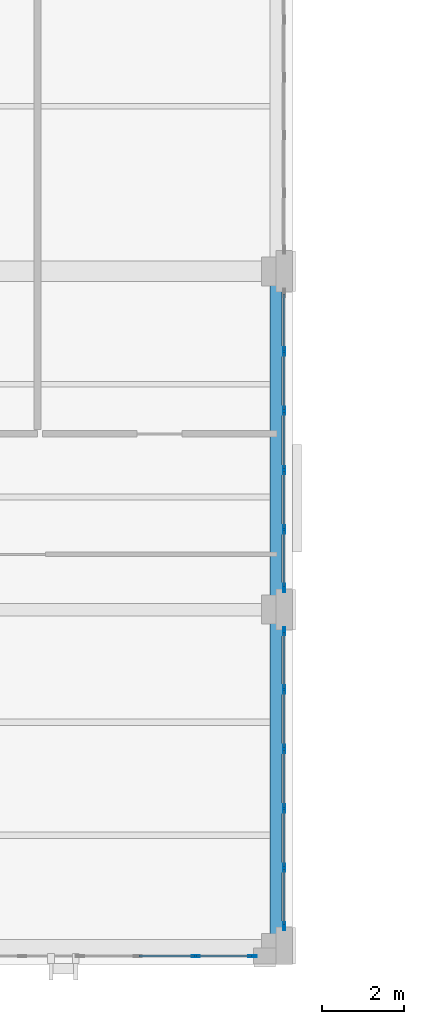
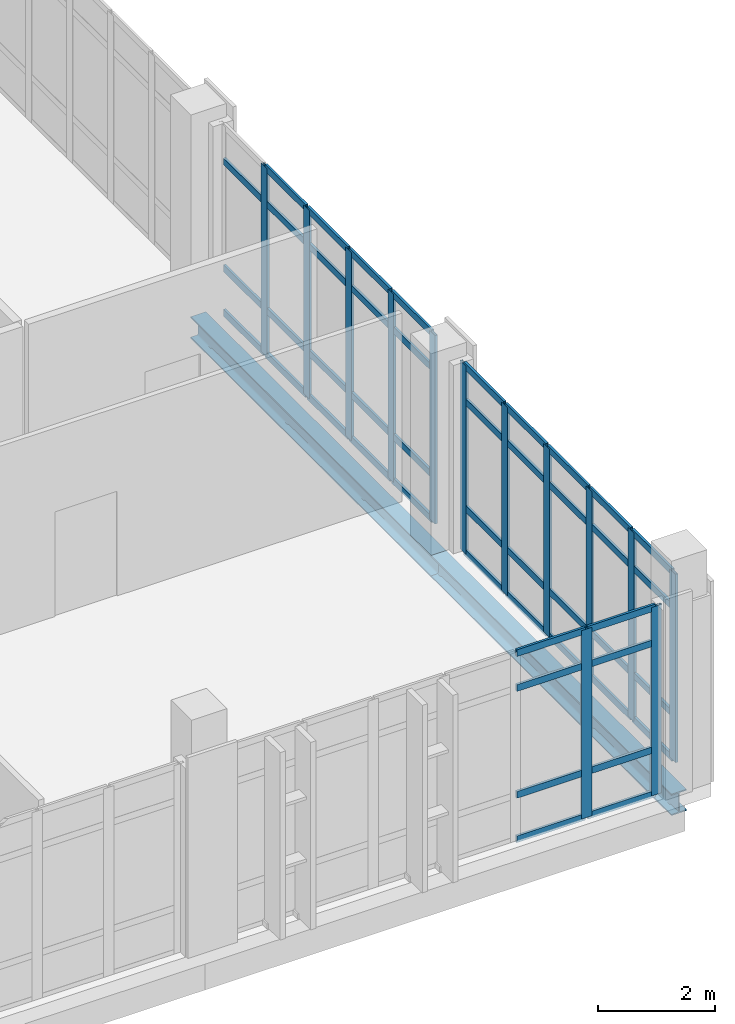
# One storey, part 52 of 158: 60 members, 2 beams, 3 elements without a shape of their own.
"""IFC4 building model written with IfcOpenShell, lengths in metres."""

from ifc_helpers import new_model, si_unit, direction, frame, origin, origin_2d, place, context, subcontext, project, spatial, hollow_rectangle, i_section, extrude, material, layer, layer_set, material_profile, profile_set, type_object, element, aggregate, save


model = new_model("IFC4")

# Units and contexts
model_context = context("Model", 3, precision=1e-05, world=origin(), true_north=direction((0.0, 1.0)))
body_context = subcontext(model_context, "Body", "Model", "MODEL_VIEW")
ifc_project = project(units=[si_unit("LENGTHUNIT", "METRE"), si_unit("AREAUNIT", "SQUARE_METRE"), si_unit("VOLUMEUNIT", "CUBIC_METRE"), si_unit("PLANEANGLEUNIT", "RADIAN"), si_unit("MASSUNIT", "GRAM", prefix="KILO")], contexts=[model_context])

# Site, building, storey
site_placement = place(None, origin())
site = spatial("IfcSite", under=ifc_project, at=site_placement, CompositionType="ELEMENT")
building_placement = place(site_placement, origin())
building = spatial("IfcBuilding", under=site, at=building_placement, Name="Qalavern Law Courts", CompositionType="ELEMENT")
storey_placement = place(building_placement, frame((0.0, 0.0, 18.60009765625)))
storey = spatial("IfcBuildingStorey", under=building, at=storey_placement, Name="L04", CompositionType="ELEMENT", Elevation=18.60009765625)

# Curtain wall, members
ifc_material_1 = material(Name="Anodised aluminium and insulated glazing", Category="aluminium")
ifc_layer = layer(ifc_material_1, 0.18505859375)
ifc_layer_set = layer_set([ifc_layer], Name="Anodised aluminium and insulated glazing")
curtain_wall_type = type_object("IfcCurtainWallType", Name="ENV-CW-HALL", PredefinedType="USERDEFINED", material=ifc_layer_set)
curtain_wall_1_placement = place(storey_placement, origin())
curtain_wall_1 = element("IfcCurtainWall", 1, at=curtain_wall_1_placement, inside=storey, type_object=curtain_wall_type, Name="V2 unitised curtain wall L04 south 6", ObjectType="UNITISED CURTAIN WALL", PredefinedType="USERDEFINED")
ifc_material_2 = material(Name="Anodised aluminium", Category="aluminium")
ifc_material_profile_1 = material_profile(ifc_material_2, hollow_rectangle(XDim=0.048095703125, YDim=0.199951171875, WallThickness=0.00439453125, at=origin_2d()), Name="ALU MULLION 48x200")
ifc_profile_set_1 = profile_set([ifc_material_profile_1], Name="Anodised aluminium")
member_type_1 = type_object("IfcMemberType", Name="ENV-CWM-48x200", PredefinedType="MULLION", material=ifc_profile_set_1)
member_1_placement = place(storey_placement, frame((98.853515625, 5.39990234375, 0.0), z_axis=(0.0, 0.0, 1.0), x_axis=(0.0, 1.0, 0.0)))
member_1 = element("IfcMember", 2, at=member_1_placement, type_object=member_type_1, Name="CW-02 mullion 6", PredefinedType="MULLION", context=body_context, shape_type="SweptSolid", body=[
    extrude(hollow_rectangle(XDim=0.048095703125, YDim=0.199951171875, WallThickness=0.00439453125, at=origin_2d()), origin(), (0.0, 0.0, 1.0), 3.9248046875),
])
member_2_placement = place(storey_placement, frame((100.23095703125, 5.39990234375, 0.0), z_axis=(0.0, 0.0, 1.0), x_axis=(0.0, 1.0, 0.0)))
member_2 = element("IfcMember", 3, at=member_2_placement, type_object=member_type_1, Name="CW-02 mullion 7", PredefinedType="MULLION", context=body_context, shape_type="SweptSolid", body=[
    extrude(hollow_rectangle(XDim=0.048095703125, YDim=0.199951171875, WallThickness=0.00439453125, at=origin_2d()), origin(), (0.0, 0.0, 1.0), 3.9248046875),
])

curtain_wall_2_placement = place(storey_placement, origin())
curtain_wall_2 = element("IfcCurtainWall", 4, at=curtain_wall_2_placement, inside=storey, type_object=curtain_wall_type, Name="V2 unitised curtain wall L04 east 1", ObjectType="UNITISED CURTAIN WALL", PredefinedType="USERDEFINED")
member_3_placement = place(storey_placement, frame((101.0, 6.1240234375, 0.0), z_axis=(0.0, 0.0, 1.0), x_axis=(-1.0, 0.0, 0.0)))
member_3 = element("IfcMember", 5, at=member_3_placement, type_object=member_type_1, Name="CW-02 mullion 1", PredefinedType="MULLION", context=body_context, shape_type="SweptSolid", body=[
    extrude(hollow_rectangle(XDim=0.048095703125, YDim=0.199951171875, WallThickness=0.00439453125, at=origin_2d()), origin(), (0.0, 0.0, 1.0), 3.9248046875),
])
member_4_placement = place(storey_placement, frame((101.0, 7.5400390625, 0.0), z_axis=(0.0, 0.0, 1.0), x_axis=(-1.0, 0.0, 0.0)))
member_4 = element("IfcMember", 6, at=member_4_placement, type_object=member_type_1, Name="CW-02 mullion 2", PredefinedType="MULLION", context=body_context, shape_type="SweptSolid", body=[
    extrude(hollow_rectangle(XDim=0.048095703125, YDim=0.199951171875, WallThickness=0.00439453125, at=origin_2d()), origin(), (0.0, 0.0, 1.0), 3.9248046875),
])
member_5_placement = place(storey_placement, frame((101.0, 8.97998046875, 0.0), z_axis=(0.0, 0.0, 1.0), x_axis=(-1.0, 0.0, 0.0)))
member_5 = element("IfcMember", 7, at=member_5_placement, type_object=member_type_1, Name="CW-02 mullion 3", PredefinedType="MULLION", context=body_context, shape_type="SweptSolid", body=[
    extrude(hollow_rectangle(XDim=0.048095703125, YDim=0.199951171875, WallThickness=0.00439453125, at=origin_2d()), origin(), (0.0, 0.0, 1.0), 3.9248046875),
])
member_6_placement = place(storey_placement, frame((101.0, 10.419921875, 0.0), z_axis=(0.0, 0.0, 1.0), x_axis=(-1.0, 0.0, 0.0)))
member_6 = element("IfcMember", 8, at=member_6_placement, type_object=member_type_1, Name="CW-02 mullion 4", PredefinedType="MULLION", context=body_context, shape_type="SweptSolid", body=[
    extrude(hollow_rectangle(XDim=0.048095703125, YDim=0.199951171875, WallThickness=0.00439453125, at=origin_2d()), origin(), (0.0, 0.0, 1.0), 3.9248046875),
])
member_7_placement = place(storey_placement, frame((101.0, 11.860107421875, 0.0), z_axis=(0.0, 0.0, 1.0), x_axis=(-1.0, 0.0, 0.0)))
member_7 = element("IfcMember", 9, at=member_7_placement, type_object=member_type_1, Name="CW-02 mullion 5", PredefinedType="MULLION", context=body_context, shape_type="SweptSolid", body=[
    extrude(hollow_rectangle(XDim=0.048095703125, YDim=0.199951171875, WallThickness=0.00439453125, at=origin_2d()), origin(), (0.0, 0.0, 1.0), 3.9248046875),
])
member_8_placement = place(storey_placement, frame((101.0, 13.27587890625, 0.0), z_axis=(0.0, 0.0, 1.0), x_axis=(-1.0, 0.0, 0.0)))
member_8 = element("IfcMember", 10, at=member_8_placement, type_object=member_type_1, Name="CW-02 mullion 6", PredefinedType="MULLION", context=body_context, shape_type="SweptSolid", body=[
    extrude(hollow_rectangle(XDim=0.048095703125, YDim=0.199951171875, WallThickness=0.00439453125, at=origin_2d()), origin(), (0.0, 0.0, 1.0), 3.9248046875),
])

curtain_wall_3_placement = place(storey_placement, origin())
curtain_wall_3 = element("IfcCurtainWall", 11, at=curtain_wall_3_placement, inside=storey, type_object=curtain_wall_type, Name="V2 unitised curtain wall L04 east 2", ObjectType="UNITISED CURTAIN WALL", PredefinedType="USERDEFINED")
member_9_placement = place(storey_placement, frame((101.0, 14.323974609375, 0.0), z_axis=(0.0, 0.0, 1.0), x_axis=(-1.0, 0.0, 0.0)))
member_9 = element("IfcMember", 12, at=member_9_placement, type_object=member_type_1, Name="CW-02 mullion 1", PredefinedType="MULLION", context=body_context, shape_type="SweptSolid", body=[
    extrude(hollow_rectangle(XDim=0.048095703125, YDim=0.199951171875, WallThickness=0.00439453125, at=origin_2d()), origin(), (0.0, 0.0, 1.0), 3.9248046875),
])
member_10_placement = place(storey_placement, frame((101.0, 15.739990234375, 0.0), z_axis=(0.0, 0.0, 1.0), x_axis=(-1.0, 0.0, 0.0)))
member_10 = element("IfcMember", 13, at=member_10_placement, type_object=member_type_1, Name="CW-02 mullion 2", PredefinedType="MULLION", context=body_context, shape_type="SweptSolid", body=[
    extrude(hollow_rectangle(XDim=0.048095703125, YDim=0.199951171875, WallThickness=0.00439453125, at=origin_2d()), origin(), (0.0, 0.0, 1.0), 3.9248046875),
])
member_11_placement = place(storey_placement, frame((101.0, 17.179931640625, 0.0), z_axis=(0.0, 0.0, 1.0), x_axis=(-1.0, 0.0, 0.0)))
member_11 = element("IfcMember", 14, at=member_11_placement, type_object=member_type_1, Name="CW-02 mullion 3", PredefinedType="MULLION", context=body_context, shape_type="SweptSolid", body=[
    extrude(hollow_rectangle(XDim=0.048095703125, YDim=0.199951171875, WallThickness=0.00439453125, at=origin_2d()), origin(), (0.0, 0.0, 1.0), 3.9248046875),
])
member_12_placement = place(storey_placement, frame((101.0, 18.6201171875, 0.0), z_axis=(0.0, 0.0, 1.0), x_axis=(-1.0, 0.0, 0.0)))
member_12 = element("IfcMember", 15, at=member_12_placement, type_object=member_type_1, Name="CW-02 mullion 4", PredefinedType="MULLION", context=body_context, shape_type="SweptSolid", body=[
    extrude(hollow_rectangle(XDim=0.048095703125, YDim=0.199951171875, WallThickness=0.00439453125, at=origin_2d()), origin(), (0.0, 0.0, 1.0), 3.9248046875),
])
member_13_placement = place(storey_placement, frame((101.0, 20.06005859375, 0.0), z_axis=(0.0, 0.0, 1.0), x_axis=(-1.0, 0.0, 0.0)))
member_13 = element("IfcMember", 16, at=member_13_placement, type_object=member_type_1, Name="CW-02 mullion 5", PredefinedType="MULLION", context=body_context, shape_type="SweptSolid", body=[
    extrude(hollow_rectangle(XDim=0.048095703125, YDim=0.199951171875, WallThickness=0.00439453125, at=origin_2d()), origin(), (0.0, 0.0, 1.0), 3.9248046875),
])

# Member
ifc_material_profile_2 = material_profile(ifc_material_2, hollow_rectangle(XDim=0.048095703125, YDim=0.139892578125, WallThickness=0.00390625, at=origin_2d()), Name="ALU TRANSOM 48x140")
ifc_profile_set_2 = profile_set([ifc_material_profile_2], Name="Anodised aluminium")
member_type_2 = type_object("IfcMemberType", Name="ENV-CWT-48x140", PredefinedType="USERDEFINED", material=ifc_profile_set_2)
member_14_placement = place(storey_placement, frame((97.475830078125, 5.39990234375, 0.02392578125), z_axis=(1.0, 0.0, 0.0), x_axis=(0.0, 1.0, 0.0)))
member_14 = element("IfcMember", 17, at=member_14_placement, type_object=member_type_2, Name="CW-02 transom 5.1", ObjectType="TRANSOM", PredefinedType="USERDEFINED", context=body_context, shape_type="SweptSolid", body=[
    extrude(hollow_rectangle(XDim=0.048095703125, YDim=0.139892578125, WallThickness=0.00390625, at=origin_2d()), origin(), (0.0, 0.0, 1.0), 1.353515625),
])

member_15_placement = place(storey_placement, frame((97.475830078125, 5.39990234375, 0.949951171875), z_axis=(1.0, 0.0, 0.0), x_axis=(0.0, 1.0, 0.0)))
member_15 = element("IfcMember", 18, at=member_15_placement, type_object=member_type_2, Name="CW-02 transom 5.2", ObjectType="TRANSOM", PredefinedType="USERDEFINED", context=body_context, shape_type="SweptSolid", body=[
    extrude(hollow_rectangle(XDim=0.048095703125, YDim=0.139892578125, WallThickness=0.00390625, at=origin_2d()), origin(), (0.0, 0.0, 1.0), 1.353515625),
])

member_16_placement = place(storey_placement, frame((97.475830078125, 5.39990234375, 3.1748046875), z_axis=(1.0, 0.0, 0.0), x_axis=(0.0, 1.0, 0.0)))
member_16 = element("IfcMember", 19, at=member_16_placement, type_object=member_type_2, Name="CW-02 transom 5.3", ObjectType="TRANSOM", PredefinedType="USERDEFINED", context=body_context, shape_type="SweptSolid", body=[
    extrude(hollow_rectangle(XDim=0.048095703125, YDim=0.139892578125, WallThickness=0.00390625, at=origin_2d()), origin(), (0.0, 0.0, 1.0), 1.353515625),
])

member_17_placement = place(storey_placement, frame((97.475830078125, 5.39990234375, 3.90087890625), z_axis=(1.0, 0.0, 0.0), x_axis=(0.0, 1.0, 0.0)))
member_17 = element("IfcMember", 20, at=member_17_placement, type_object=member_type_2, Name="CW-02 transom 5.4", ObjectType="TRANSOM", PredefinedType="USERDEFINED", context=body_context, shape_type="SweptSolid", body=[
    extrude(hollow_rectangle(XDim=0.048095703125, YDim=0.139892578125, WallThickness=0.00390625, at=origin_2d()), origin(), (0.0, 0.0, 1.0), 1.353515625),
])

member_18_placement = place(storey_placement, frame((98.87744140625, 5.39990234375, 0.02392578125), z_axis=(1.0, 0.0, 0.0), x_axis=(0.0, 1.0, 0.0)))
member_18 = element("IfcMember", 21, at=member_18_placement, type_object=member_type_2, Name="CW-02 transom 6.1", ObjectType="TRANSOM", PredefinedType="USERDEFINED", context=body_context, shape_type="SweptSolid", body=[
    extrude(hollow_rectangle(XDim=0.048095703125, YDim=0.139892578125, WallThickness=0.00390625, at=origin_2d()), origin(), (0.0, 0.0, 1.0), 1.32958984375),
])

member_19_placement = place(storey_placement, frame((98.87744140625, 5.39990234375, 0.949951171875), z_axis=(1.0, 0.0, 0.0), x_axis=(0.0, 1.0, 0.0)))
member_19 = element("IfcMember", 22, at=member_19_placement, type_object=member_type_2, Name="CW-02 transom 6.2", ObjectType="TRANSOM", PredefinedType="USERDEFINED", context=body_context, shape_type="SweptSolid", body=[
    extrude(hollow_rectangle(XDim=0.048095703125, YDim=0.139892578125, WallThickness=0.00390625, at=origin_2d()), origin(), (0.0, 0.0, 1.0), 1.32958984375),
])

member_20_placement = place(storey_placement, frame((98.87744140625, 5.39990234375, 3.1748046875), z_axis=(1.0, 0.0, 0.0), x_axis=(0.0, 1.0, 0.0)))
member_20 = element("IfcMember", 23, at=member_20_placement, type_object=member_type_2, Name="CW-02 transom 6.3", ObjectType="TRANSOM", PredefinedType="USERDEFINED", context=body_context, shape_type="SweptSolid", body=[
    extrude(hollow_rectangle(XDim=0.048095703125, YDim=0.139892578125, WallThickness=0.00390625, at=origin_2d()), origin(), (0.0, 0.0, 1.0), 1.32958984375),
])

member_21_placement = place(storey_placement, frame((98.87744140625, 5.39990234375, 3.90087890625), z_axis=(1.0, 0.0, 0.0), x_axis=(0.0, 1.0, 0.0)))
member_21 = element("IfcMember", 24, at=member_21_placement, type_object=member_type_2, Name="CW-02 transom 6.4", ObjectType="TRANSOM", PredefinedType="USERDEFINED", context=body_context, shape_type="SweptSolid", body=[
    extrude(hollow_rectangle(XDim=0.048095703125, YDim=0.139892578125, WallThickness=0.00390625, at=origin_2d()), origin(), (0.0, 0.0, 1.0), 1.32958984375),
])

aggregate(curtain_wall_1, [member_1, member_2, member_14, member_15, member_16, member_17, member_18, member_19, member_20, member_21])

member_22_placement = place(storey_placement, frame((101.0, 6.14794921875, 0.02392578125), z_axis=(0.0, 1.0, 0.0), x_axis=(-1.0, 0.0, 0.0)))
member_22 = element("IfcMember", 25, at=member_22_placement, type_object=member_type_2, Name="CW-02 transom 1.1", ObjectType="TRANSOM", PredefinedType="USERDEFINED", context=body_context, shape_type="SweptSolid", body=[
    extrude(hollow_rectangle(XDim=0.048095703125, YDim=0.139892578125, WallThickness=0.00390625, at=origin_2d()), origin(), (0.0, 0.0, 1.0), 1.3681640625),
])

member_23_placement = place(storey_placement, frame((101.0, 6.14794921875, 0.949951171875), z_axis=(0.0, 1.0, 0.0), x_axis=(-1.0, 0.0, 0.0)))
member_23 = element("IfcMember", 26, at=member_23_placement, type_object=member_type_2, Name="CW-02 transom 1.2", ObjectType="TRANSOM", PredefinedType="USERDEFINED", context=body_context, shape_type="SweptSolid", body=[
    extrude(hollow_rectangle(XDim=0.048095703125, YDim=0.139892578125, WallThickness=0.00390625, at=origin_2d()), origin(), (0.0, 0.0, 1.0), 1.3681640625),
])

member_24_placement = place(storey_placement, frame((101.0, 6.14794921875, 3.1748046875), z_axis=(0.0, 1.0, 0.0), x_axis=(-1.0, 0.0, 0.0)))
member_24 = element("IfcMember", 27, at=member_24_placement, type_object=member_type_2, Name="CW-02 transom 1.3", ObjectType="TRANSOM", PredefinedType="USERDEFINED", context=body_context, shape_type="SweptSolid", body=[
    extrude(hollow_rectangle(XDim=0.048095703125, YDim=0.139892578125, WallThickness=0.00390625, at=origin_2d()), origin(), (0.0, 0.0, 1.0), 1.3681640625),
])

member_25_placement = place(storey_placement, frame((101.0, 6.14794921875, 3.90087890625), z_axis=(0.0, 1.0, 0.0), x_axis=(-1.0, 0.0, 0.0)))
member_25 = element("IfcMember", 28, at=member_25_placement, type_object=member_type_2, Name="CW-02 transom 1.4", ObjectType="TRANSOM", PredefinedType="USERDEFINED", context=body_context, shape_type="SweptSolid", body=[
    extrude(hollow_rectangle(XDim=0.048095703125, YDim=0.139892578125, WallThickness=0.00390625, at=origin_2d()), origin(), (0.0, 0.0, 1.0), 1.3681640625),
])

member_26_placement = place(storey_placement, frame((101.0, 7.56396484375, 0.02392578125), z_axis=(0.0, 1.0, 0.0), x_axis=(-1.0, 0.0, 0.0)))
member_26 = element("IfcMember", 29, at=member_26_placement, type_object=member_type_2, Name="CW-02 transom 2.1", ObjectType="TRANSOM", PredefinedType="USERDEFINED", context=body_context, shape_type="SweptSolid", body=[
    extrude(hollow_rectangle(XDim=0.048095703125, YDim=0.139892578125, WallThickness=0.00390625, at=origin_2d()), origin(), (0.0, 0.0, 1.0), 1.39208984375),
])

member_27_placement = place(storey_placement, frame((101.0, 7.56396484375, 0.949951171875), z_axis=(0.0, 1.0, 0.0), x_axis=(-1.0, 0.0, 0.0)))
member_27 = element("IfcMember", 30, at=member_27_placement, type_object=member_type_2, Name="CW-02 transom 2.2", ObjectType="TRANSOM", PredefinedType="USERDEFINED", context=body_context, shape_type="SweptSolid", body=[
    extrude(hollow_rectangle(XDim=0.048095703125, YDim=0.139892578125, WallThickness=0.00390625, at=origin_2d()), origin(), (0.0, 0.0, 1.0), 1.39208984375),
])

member_28_placement = place(storey_placement, frame((101.0, 7.56396484375, 3.1748046875), z_axis=(0.0, 1.0, 0.0), x_axis=(-1.0, 0.0, 0.0)))
member_28 = element("IfcMember", 31, at=member_28_placement, type_object=member_type_2, Name="CW-02 transom 2.3", ObjectType="TRANSOM", PredefinedType="USERDEFINED", context=body_context, shape_type="SweptSolid", body=[
    extrude(hollow_rectangle(XDim=0.048095703125, YDim=0.139892578125, WallThickness=0.00390625, at=origin_2d()), origin(), (0.0, 0.0, 1.0), 1.39208984375),
])

member_29_placement = place(storey_placement, frame((101.0, 7.56396484375, 3.90087890625), z_axis=(0.0, 1.0, 0.0), x_axis=(-1.0, 0.0, 0.0)))
member_29 = element("IfcMember", 32, at=member_29_placement, type_object=member_type_2, Name="CW-02 transom 2.4", ObjectType="TRANSOM", PredefinedType="USERDEFINED", context=body_context, shape_type="SweptSolid", body=[
    extrude(hollow_rectangle(XDim=0.048095703125, YDim=0.139892578125, WallThickness=0.00390625, at=origin_2d()), origin(), (0.0, 0.0, 1.0), 1.39208984375),
])

member_30_placement = place(storey_placement, frame((101.0, 9.00390625, 0.02392578125), z_axis=(0.0, 1.0, 0.0), x_axis=(-1.0, 0.0, 0.0)))
member_30 = element("IfcMember", 33, at=member_30_placement, type_object=member_type_2, Name="CW-02 transom 3.1", ObjectType="TRANSOM", PredefinedType="USERDEFINED", context=body_context, shape_type="SweptSolid", body=[
    extrude(hollow_rectangle(XDim=0.048095703125, YDim=0.139892578125, WallThickness=0.00390625, at=origin_2d()), origin(), (0.0, 0.0, 1.0), 1.39208984375),
])

member_31_placement = place(storey_placement, frame((101.0, 9.00390625, 0.949951171875), z_axis=(0.0, 1.0, 0.0), x_axis=(-1.0, 0.0, 0.0)))
member_31 = element("IfcMember", 34, at=member_31_placement, type_object=member_type_2, Name="CW-02 transom 3.2", ObjectType="TRANSOM", PredefinedType="USERDEFINED", context=body_context, shape_type="SweptSolid", body=[
    extrude(hollow_rectangle(XDim=0.048095703125, YDim=0.139892578125, WallThickness=0.00390625, at=origin_2d()), origin(), (0.0, 0.0, 1.0), 1.39208984375),
])

member_32_placement = place(storey_placement, frame((101.0, 9.00390625, 3.1748046875), z_axis=(0.0, 1.0, 0.0), x_axis=(-1.0, 0.0, 0.0)))
member_32 = element("IfcMember", 35, at=member_32_placement, type_object=member_type_2, Name="CW-02 transom 3.3", ObjectType="TRANSOM", PredefinedType="USERDEFINED", context=body_context, shape_type="SweptSolid", body=[
    extrude(hollow_rectangle(XDim=0.048095703125, YDim=0.139892578125, WallThickness=0.00390625, at=origin_2d()), origin(), (0.0, 0.0, 1.0), 1.39208984375),
])

member_33_placement = place(storey_placement, frame((101.0, 9.00390625, 3.90087890625), z_axis=(0.0, 1.0, 0.0), x_axis=(-1.0, 0.0, 0.0)))
member_33 = element("IfcMember", 36, at=member_33_placement, type_object=member_type_2, Name="CW-02 transom 3.4", ObjectType="TRANSOM", PredefinedType="USERDEFINED", context=body_context, shape_type="SweptSolid", body=[
    extrude(hollow_rectangle(XDim=0.048095703125, YDim=0.139892578125, WallThickness=0.00390625, at=origin_2d()), origin(), (0.0, 0.0, 1.0), 1.39208984375),
])

member_34_placement = place(storey_placement, frame((101.0, 10.444091796875, 0.02392578125), z_axis=(0.0, 1.0, 0.0), x_axis=(-1.0, 0.0, 0.0)))
member_34 = element("IfcMember", 37, at=member_34_placement, type_object=member_type_2, Name="CW-02 transom 4.1", ObjectType="TRANSOM", PredefinedType="USERDEFINED", context=body_context, shape_type="SweptSolid", body=[
    extrude(hollow_rectangle(XDim=0.048095703125, YDim=0.139892578125, WallThickness=0.00390625, at=origin_2d()), origin(), (0.0, 0.0, 1.0), 1.391845703125),
])

member_35_placement = place(storey_placement, frame((101.0, 10.444091796875, 0.949951171875), z_axis=(0.0, 1.0, 0.0), x_axis=(-1.0, 0.0, 0.0)))
member_35 = element("IfcMember", 38, at=member_35_placement, type_object=member_type_2, Name="CW-02 transom 4.2", ObjectType="TRANSOM", PredefinedType="USERDEFINED", context=body_context, shape_type="SweptSolid", body=[
    extrude(hollow_rectangle(XDim=0.048095703125, YDim=0.139892578125, WallThickness=0.00390625, at=origin_2d()), origin(), (0.0, 0.0, 1.0), 1.391845703125),
])

member_36_placement = place(storey_placement, frame((101.0, 10.444091796875, 3.1748046875), z_axis=(0.0, 1.0, 0.0), x_axis=(-1.0, 0.0, 0.0)))
member_36 = element("IfcMember", 39, at=member_36_placement, type_object=member_type_2, Name="CW-02 transom 4.3", ObjectType="TRANSOM", PredefinedType="USERDEFINED", context=body_context, shape_type="SweptSolid", body=[
    extrude(hollow_rectangle(XDim=0.048095703125, YDim=0.139892578125, WallThickness=0.00390625, at=origin_2d()), origin(), (0.0, 0.0, 1.0), 1.391845703125),
])

member_37_placement = place(storey_placement, frame((101.0, 10.444091796875, 3.90087890625), z_axis=(0.0, 1.0, 0.0), x_axis=(-1.0, 0.0, 0.0)))
member_37 = element("IfcMember", 40, at=member_37_placement, type_object=member_type_2, Name="CW-02 transom 4.4", ObjectType="TRANSOM", PredefinedType="USERDEFINED", context=body_context, shape_type="SweptSolid", body=[
    extrude(hollow_rectangle(XDim=0.048095703125, YDim=0.139892578125, WallThickness=0.00390625, at=origin_2d()), origin(), (0.0, 0.0, 1.0), 1.391845703125),
])

member_38_placement = place(storey_placement, frame((101.0, 11.884033203125, 0.02392578125), z_axis=(0.0, 1.0, 0.0), x_axis=(-1.0, 0.0, 0.0)))
member_38 = element("IfcMember", 41, at=member_38_placement, type_object=member_type_2, Name="CW-02 transom 5.1", ObjectType="TRANSOM", PredefinedType="USERDEFINED", context=body_context, shape_type="SweptSolid", body=[
    extrude(hollow_rectangle(XDim=0.048095703125, YDim=0.139892578125, WallThickness=0.00390625, at=origin_2d()), origin(), (0.0, 0.0, 1.0), 1.367919921875),
])

member_39_placement = place(storey_placement, frame((101.0, 11.884033203125, 0.949951171875), z_axis=(0.0, 1.0, 0.0), x_axis=(-1.0, 0.0, 0.0)))
member_39 = element("IfcMember", 42, at=member_39_placement, type_object=member_type_2, Name="CW-02 transom 5.2", ObjectType="TRANSOM", PredefinedType="USERDEFINED", context=body_context, shape_type="SweptSolid", body=[
    extrude(hollow_rectangle(XDim=0.048095703125, YDim=0.139892578125, WallThickness=0.00390625, at=origin_2d()), origin(), (0.0, 0.0, 1.0), 1.367919921875),
])

member_40_placement = place(storey_placement, frame((101.0, 11.884033203125, 3.1748046875), z_axis=(0.0, 1.0, 0.0), x_axis=(-1.0, 0.0, 0.0)))
member_40 = element("IfcMember", 43, at=member_40_placement, type_object=member_type_2, Name="CW-02 transom 5.3", ObjectType="TRANSOM", PredefinedType="USERDEFINED", context=body_context, shape_type="SweptSolid", body=[
    extrude(hollow_rectangle(XDim=0.048095703125, YDim=0.139892578125, WallThickness=0.00390625, at=origin_2d()), origin(), (0.0, 0.0, 1.0), 1.367919921875),
])

member_41_placement = place(storey_placement, frame((101.0, 11.884033203125, 3.90087890625), z_axis=(0.0, 1.0, 0.0), x_axis=(-1.0, 0.0, 0.0)))
member_41 = element("IfcMember", 44, at=member_41_placement, type_object=member_type_2, Name="CW-02 transom 5.4", ObjectType="TRANSOM", PredefinedType="USERDEFINED", context=body_context, shape_type="SweptSolid", body=[
    extrude(hollow_rectangle(XDim=0.048095703125, YDim=0.139892578125, WallThickness=0.00390625, at=origin_2d()), origin(), (0.0, 0.0, 1.0), 1.367919921875),
])

aggregate(curtain_wall_2, [member_3, member_4, member_5, member_6, member_7, member_8, member_22, member_23, member_24, member_25, member_26, member_27, member_28, member_29, member_30, member_31, member_32, member_33, member_34, member_35, member_36, member_37, member_38, member_39, member_40, member_41])

member_42_placement = place(storey_placement, frame((101.0, 14.347900390625, 0.02392578125), z_axis=(0.0, 1.0, 0.0), x_axis=(-1.0, 0.0, 0.0)))
member_42 = element("IfcMember", 45, at=member_42_placement, type_object=member_type_2, Name="CW-02 transom 1.1", ObjectType="TRANSOM", PredefinedType="USERDEFINED", context=body_context, shape_type="SweptSolid", body=[
    extrude(hollow_rectangle(XDim=0.048095703125, YDim=0.139892578125, WallThickness=0.00390625, at=origin_2d()), origin(), (0.0, 0.0, 1.0), 1.3681640625),
])

member_43_placement = place(storey_placement, frame((101.0, 14.347900390625, 0.949951171875), z_axis=(0.0, 1.0, 0.0), x_axis=(-1.0, 0.0, 0.0)))
member_43 = element("IfcMember", 46, at=member_43_placement, type_object=member_type_2, Name="CW-02 transom 1.2", ObjectType="TRANSOM", PredefinedType="USERDEFINED", context=body_context, shape_type="SweptSolid", body=[
    extrude(hollow_rectangle(XDim=0.048095703125, YDim=0.139892578125, WallThickness=0.00390625, at=origin_2d()), origin(), (0.0, 0.0, 1.0), 1.3681640625),
])

member_44_placement = place(storey_placement, frame((101.0, 14.347900390625, 3.1748046875), z_axis=(0.0, 1.0, 0.0), x_axis=(-1.0, 0.0, 0.0)))
member_44 = element("IfcMember", 47, at=member_44_placement, type_object=member_type_2, Name="CW-02 transom 1.3", ObjectType="TRANSOM", PredefinedType="USERDEFINED", context=body_context, shape_type="SweptSolid", body=[
    extrude(hollow_rectangle(XDim=0.048095703125, YDim=0.139892578125, WallThickness=0.00390625, at=origin_2d()), origin(), (0.0, 0.0, 1.0), 1.3681640625),
])

member_45_placement = place(storey_placement, frame((101.0, 14.347900390625, 3.90087890625), z_axis=(0.0, 1.0, 0.0), x_axis=(-1.0, 0.0, 0.0)))
member_45 = element("IfcMember", 48, at=member_45_placement, type_object=member_type_2, Name="CW-02 transom 1.4", ObjectType="TRANSOM", PredefinedType="USERDEFINED", context=body_context, shape_type="SweptSolid", body=[
    extrude(hollow_rectangle(XDim=0.048095703125, YDim=0.139892578125, WallThickness=0.00390625, at=origin_2d()), origin(), (0.0, 0.0, 1.0), 1.3681640625),
])

member_46_placement = place(storey_placement, frame((101.0, 15.763916015625, 0.02392578125), z_axis=(0.0, 1.0, 0.0), x_axis=(-1.0, 0.0, 0.0)))
member_46 = element("IfcMember", 49, at=member_46_placement, type_object=member_type_2, Name="CW-02 transom 2.1", ObjectType="TRANSOM", PredefinedType="USERDEFINED", context=body_context, shape_type="SweptSolid", body=[
    extrude(hollow_rectangle(XDim=0.048095703125, YDim=0.139892578125, WallThickness=0.00390625, at=origin_2d()), origin(), (0.0, 0.0, 1.0), 1.39208984375),
])

member_47_placement = place(storey_placement, frame((101.0, 15.763916015625, 0.949951171875), z_axis=(0.0, 1.0, 0.0), x_axis=(-1.0, 0.0, 0.0)))
member_47 = element("IfcMember", 50, at=member_47_placement, type_object=member_type_2, Name="CW-02 transom 2.2", ObjectType="TRANSOM", PredefinedType="USERDEFINED", context=body_context, shape_type="SweptSolid", body=[
    extrude(hollow_rectangle(XDim=0.048095703125, YDim=0.139892578125, WallThickness=0.00390625, at=origin_2d()), origin(), (0.0, 0.0, 1.0), 1.39208984375),
])

member_48_placement = place(storey_placement, frame((101.0, 15.763916015625, 3.1748046875), z_axis=(0.0, 1.0, 0.0), x_axis=(-1.0, 0.0, 0.0)))
member_48 = element("IfcMember", 51, at=member_48_placement, type_object=member_type_2, Name="CW-02 transom 2.3", ObjectType="TRANSOM", PredefinedType="USERDEFINED", context=body_context, shape_type="SweptSolid", body=[
    extrude(hollow_rectangle(XDim=0.048095703125, YDim=0.139892578125, WallThickness=0.00390625, at=origin_2d()), origin(), (0.0, 0.0, 1.0), 1.39208984375),
])

member_49_placement = place(storey_placement, frame((101.0, 15.763916015625, 3.90087890625), z_axis=(0.0, 1.0, 0.0), x_axis=(-1.0, 0.0, 0.0)))
member_49 = element("IfcMember", 52, at=member_49_placement, type_object=member_type_2, Name="CW-02 transom 2.4", ObjectType="TRANSOM", PredefinedType="USERDEFINED", context=body_context, shape_type="SweptSolid", body=[
    extrude(hollow_rectangle(XDim=0.048095703125, YDim=0.139892578125, WallThickness=0.00390625, at=origin_2d()), origin(), (0.0, 0.0, 1.0), 1.39208984375),
])

member_50_placement = place(storey_placement, frame((101.0, 17.2041015625, 0.02392578125), z_axis=(0.0, 1.0, 0.0), x_axis=(-1.0, 0.0, 0.0)))
member_50 = element("IfcMember", 53, at=member_50_placement, type_object=member_type_2, Name="CW-02 transom 3.1", ObjectType="TRANSOM", PredefinedType="USERDEFINED", context=body_context, shape_type="SweptSolid", body=[
    extrude(hollow_rectangle(XDim=0.048095703125, YDim=0.139892578125, WallThickness=0.00390625, at=origin_2d()), origin(), (0.0, 0.0, 1.0), 1.391845703125),
])

member_51_placement = place(storey_placement, frame((101.0, 17.2041015625, 0.949951171875), z_axis=(0.0, 1.0, 0.0), x_axis=(-1.0, 0.0, 0.0)))
member_51 = element("IfcMember", 54, at=member_51_placement, type_object=member_type_2, Name="CW-02 transom 3.2", ObjectType="TRANSOM", PredefinedType="USERDEFINED", context=body_context, shape_type="SweptSolid", body=[
    extrude(hollow_rectangle(XDim=0.048095703125, YDim=0.139892578125, WallThickness=0.00390625, at=origin_2d()), origin(), (0.0, 0.0, 1.0), 1.391845703125),
])

member_52_placement = place(storey_placement, frame((101.0, 17.2041015625, 3.1748046875), z_axis=(0.0, 1.0, 0.0), x_axis=(-1.0, 0.0, 0.0)))
member_52 = element("IfcMember", 55, at=member_52_placement, type_object=member_type_2, Name="CW-02 transom 3.3", ObjectType="TRANSOM", PredefinedType="USERDEFINED", context=body_context, shape_type="SweptSolid", body=[
    extrude(hollow_rectangle(XDim=0.048095703125, YDim=0.139892578125, WallThickness=0.00390625, at=origin_2d()), origin(), (0.0, 0.0, 1.0), 1.391845703125),
])

member_53_placement = place(storey_placement, frame((101.0, 17.2041015625, 3.90087890625), z_axis=(0.0, 1.0, 0.0), x_axis=(-1.0, 0.0, 0.0)))
member_53 = element("IfcMember", 56, at=member_53_placement, type_object=member_type_2, Name="CW-02 transom 3.4", ObjectType="TRANSOM", PredefinedType="USERDEFINED", context=body_context, shape_type="SweptSolid", body=[
    extrude(hollow_rectangle(XDim=0.048095703125, YDim=0.139892578125, WallThickness=0.00390625, at=origin_2d()), origin(), (0.0, 0.0, 1.0), 1.391845703125),
])

member_54_placement = place(storey_placement, frame((101.0, 18.64404296875, 0.02392578125), z_axis=(0.0, 1.0, 0.0), x_axis=(-1.0, 0.0, 0.0)))
member_54 = element("IfcMember", 57, at=member_54_placement, type_object=member_type_2, Name="CW-02 transom 4.1", ObjectType="TRANSOM", PredefinedType="USERDEFINED", context=body_context, shape_type="SweptSolid", body=[
    extrude(hollow_rectangle(XDim=0.048095703125, YDim=0.139892578125, WallThickness=0.00390625, at=origin_2d()), origin(), (0.0, 0.0, 1.0), 1.391845703125),
])

member_55_placement = place(storey_placement, frame((101.0, 18.64404296875, 0.949951171875), z_axis=(0.0, 1.0, 0.0), x_axis=(-1.0, 0.0, 0.0)))
member_55 = element("IfcMember", 58, at=member_55_placement, type_object=member_type_2, Name="CW-02 transom 4.2", ObjectType="TRANSOM", PredefinedType="USERDEFINED", context=body_context, shape_type="SweptSolid", body=[
    extrude(hollow_rectangle(XDim=0.048095703125, YDim=0.139892578125, WallThickness=0.00390625, at=origin_2d()), origin(), (0.0, 0.0, 1.0), 1.391845703125),
])

member_56_placement = place(storey_placement, frame((101.0, 18.64404296875, 3.1748046875), z_axis=(0.0, 1.0, 0.0), x_axis=(-1.0, 0.0, 0.0)))
member_56 = element("IfcMember", 59, at=member_56_placement, type_object=member_type_2, Name="CW-02 transom 4.3", ObjectType="TRANSOM", PredefinedType="USERDEFINED", context=body_context, shape_type="SweptSolid", body=[
    extrude(hollow_rectangle(XDim=0.048095703125, YDim=0.139892578125, WallThickness=0.00390625, at=origin_2d()), origin(), (0.0, 0.0, 1.0), 1.391845703125),
])

member_57_placement = place(storey_placement, frame((101.0, 18.64404296875, 3.90087890625), z_axis=(0.0, 1.0, 0.0), x_axis=(-1.0, 0.0, 0.0)))
member_57 = element("IfcMember", 60, at=member_57_placement, type_object=member_type_2, Name="CW-02 transom 4.4", ObjectType="TRANSOM", PredefinedType="USERDEFINED", context=body_context, shape_type="SweptSolid", body=[
    extrude(hollow_rectangle(XDim=0.048095703125, YDim=0.139892578125, WallThickness=0.00390625, at=origin_2d()), origin(), (0.0, 0.0, 1.0), 1.391845703125),
])

member_58_placement = place(storey_placement, frame((101.0, 20.083984375, 0.02392578125), z_axis=(0.0, 1.0, 0.0), x_axis=(-1.0, 0.0, 0.0)))
member_58 = element("IfcMember", 61, at=member_58_placement, type_object=member_type_2, Name="CW-02 transom 5.1", ObjectType="TRANSOM", PredefinedType="USERDEFINED", context=body_context, shape_type="SweptSolid", body=[
    extrude(hollow_rectangle(XDim=0.048095703125, YDim=0.139892578125, WallThickness=0.00390625, at=origin_2d()), origin(), (0.0, 0.0, 1.0), 1.367919921875),
])

member_59_placement = place(storey_placement, frame((101.0, 20.083984375, 0.949951171875), z_axis=(0.0, 1.0, 0.0), x_axis=(-1.0, 0.0, 0.0)))
member_59 = element("IfcMember", 62, at=member_59_placement, type_object=member_type_2, Name="CW-02 transom 5.2", ObjectType="TRANSOM", PredefinedType="USERDEFINED", context=body_context, shape_type="SweptSolid", body=[
    extrude(hollow_rectangle(XDim=0.048095703125, YDim=0.139892578125, WallThickness=0.00390625, at=origin_2d()), origin(), (0.0, 0.0, 1.0), 1.367919921875),
])

member_60_placement = place(storey_placement, frame((101.0, 20.083984375, 3.1748046875), z_axis=(0.0, 1.0, 0.0), x_axis=(-1.0, 0.0, 0.0)))
member_60 = element("IfcMember", 63, at=member_60_placement, type_object=member_type_2, Name="CW-02 transom 5.3", ObjectType="TRANSOM", PredefinedType="USERDEFINED", context=body_context, shape_type="SweptSolid", body=[
    extrude(hollow_rectangle(XDim=0.048095703125, YDim=0.139892578125, WallThickness=0.00390625, at=origin_2d()), origin(), (0.0, 0.0, 1.0), 1.367919921875),
])

aggregate(curtain_wall_3, [member_9, member_10, member_11, member_12, member_13, member_42, member_43, member_44, member_45, member_46, member_47, member_48, member_49, member_50, member_51, member_52, member_53, member_54, member_55, member_56, member_57, member_58, member_59, member_60])

# Beams
ifc_material_3 = material(Name="Steel S355", Category="steel")
ifc_material_profile_3 = material_profile(ifc_material_3, i_section(OverallWidth=0.300048828125, OverallDepth=0.449951171875, WebThickness=0.013916015625, FlangeThickness=0.02587890625, FilletRadius=0.027099609375, at=origin_2d()), Name="HEB 450")
ifc_profile_set_3 = profile_set([ifc_material_profile_3], Name="Steel S355")
beam_type = type_object("IfcBeamType", Name="STR-SP-HEB450", PredefinedType="SPANDREL", material=ifc_profile_set_3)
for number, where, z_axis, x_axis, name in (
    (64, (100.800048828125, 5.60009765625, -0.505126953125), (0.0, 1.0, 0.0), (-1.0, 0.0, 0.0), "V2 Y-beam 8-1 L04"),
    (65, (100.800048828125, 13.800048828125, -0.505126953125), (0.0, 1.0, 0.0), (-1.0, 0.0, 0.0), "V2 Y-beam 8-2 L04"),
):
    element("IfcBeam", number, at=place(storey_placement, frame(where, z_axis=z_axis, x_axis=x_axis)), inside=storey, type_object=beam_type, Name=name, PredefinedType="SPANDREL", context=body_context, shape_type="SweptSolid", body=[
        extrude(i_section(OverallWidth=0.300048828125, OverallDepth=0.449951171875, WebThickness=0.013916015625, FlangeThickness=0.02587890625, FilletRadius=0.027099609375, at=origin_2d()), origin(), (0.0, 0.0, 1.0), 8.199951171875),
    ])

save(model, "model.ifc")
